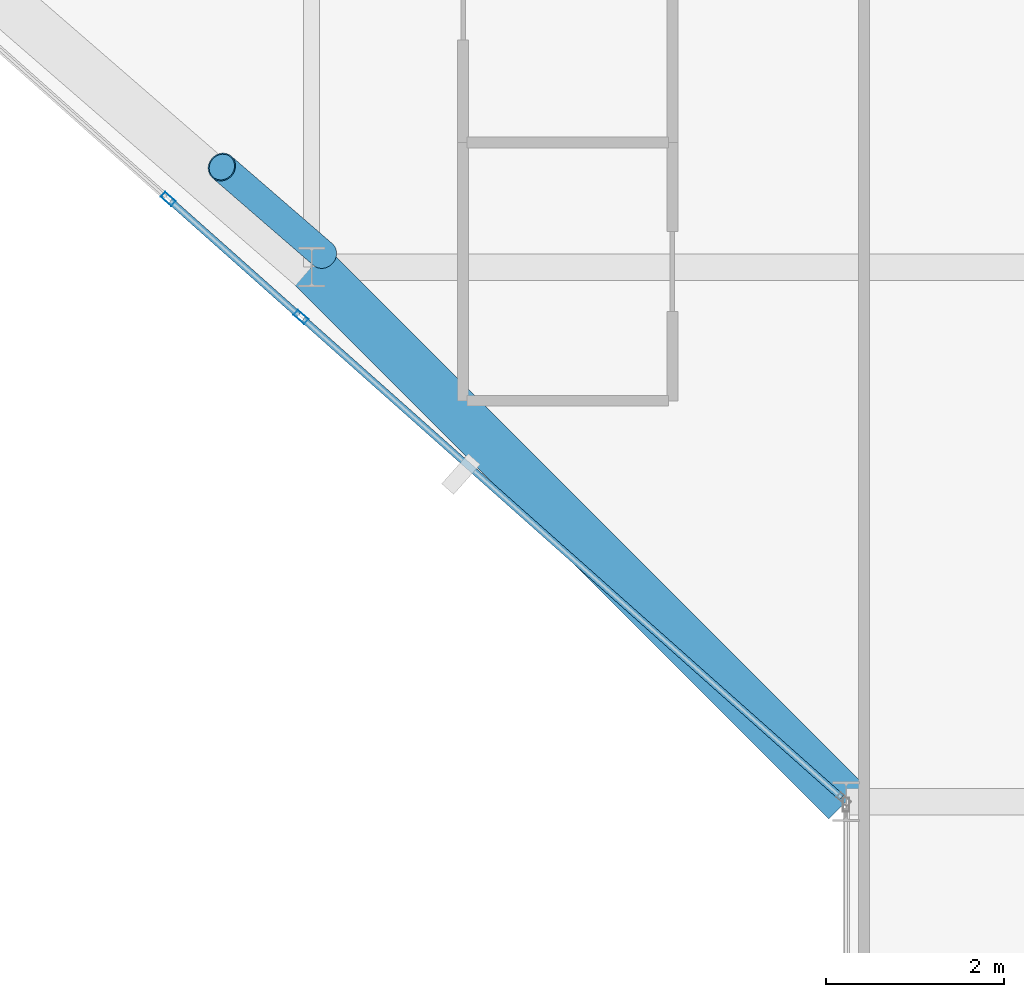
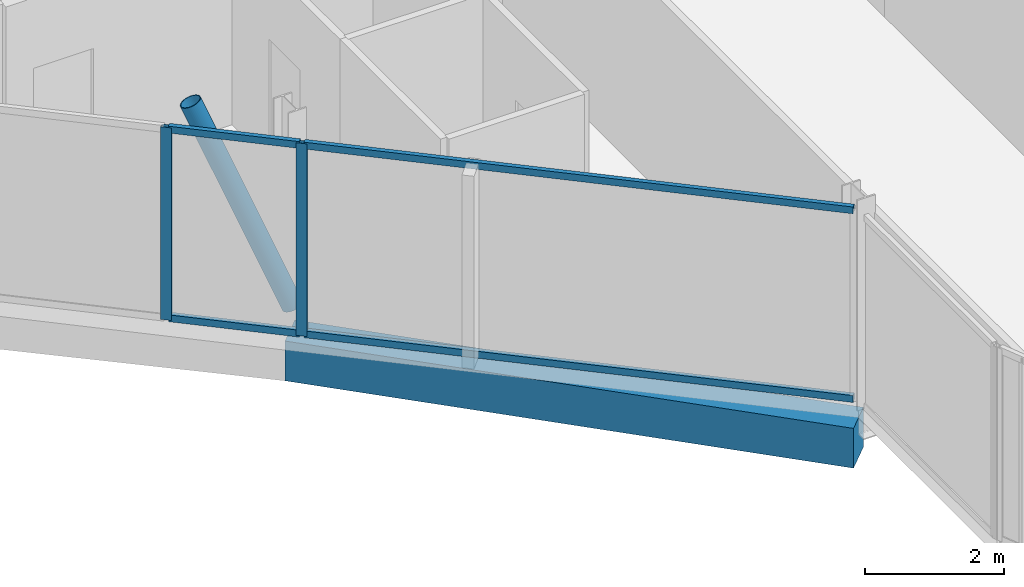
# One storey, part 4 of 29: 7 members, 1 beam, 2 elements without a shape of their own.
"""IFC4 building model written with IfcOpenShell, lengths in metres."""

import ifcopenshell
import ifcopenshell.guid

model = None  # the IFC model being written
_history = None  # IfcOwnerHistory: only IFC2X3 demands one
_inside = {}  # id of a spatial element -> (the spatial element, [elements in it])
_under = {}  # id of a project, library or spatial element -> (it, [spatial elements below it])
_declared = {}  # id of a project -> (the project, [libraries it declares])
_typed = {}  # id of a type object -> (the type object, [elements of that type])
_made_of = {}  # id of a material, layer set ... -> (it, [elements and type objects made of it])


def new_model(schema):
    """Start an empty IFC model of exactly this schema.

    Asked for "IFC4X3", IfcOpenShell would pick the latest addendum, in which some entities
    have other attributes; the version numbers below select the first issue.
    IFC2X3 requires an IfcOwnerHistory on every rooted entity: one is made here for all.
    """
    global model, _history
    if schema == "IFC4X3":
        model = ifcopenshell.file(schema_version=(4, 3, 0, 0))
    else:
        model = ifcopenshell.file(schema=schema)
    _inside.clear()
    _under.clear()
    _declared.clear()
    _typed.clear()
    _made_of.clear()
    _history = None
    if model.schema == "IFC2X3":
        org = make("IfcOrganization", Name="unknown")
        user = make(
            "IfcPersonAndOrganization",
            ThePerson=make("IfcPerson", FamilyName="unknown"),
            TheOrganization=org,
        )
        app = make(
            "IfcApplication",
            ApplicationDeveloper=org,
            Version="unknown",
            ApplicationFullName="unknown",
            ApplicationIdentifier="unknown",
        )
        _history = make(
            "IfcOwnerHistory",
            OwningUser=user,
            OwningApplication=app,
            ChangeAction="ADDED",
            CreationDate=0,
        )
    return model


def make(cls, **values):
    """One entity of the class cls with the attributes given. An attribute that is None is left unset."""
    return model.create_entity(
        cls, **{name: value for name, value in values.items() if value is not None}
    )


def rooted(cls, **values):
    """An entity with a GlobalId (a new one), such as an element, a storey or a relation."""
    return make(cls, GlobalId=ifcopenshell.guid.new(), OwnerHistory=_history, **values)


def si_unit(unit_type, name, prefix=None):
    """IfcSIUnit, for example si_unit("LENGTHUNIT", "METRE", prefix="MILLI")."""
    return make("IfcSIUnit", UnitType=unit_type, Prefix=prefix, Name=name)


def assignment(units):
    """IfcUnitAssignment: the units of a project."""
    return None if units is None else make("IfcUnitAssignment", Units=units)


def point(xyz):
    """IfcCartesianPoint."""
    return None if xyz is None else make("IfcCartesianPoint", Coordinates=xyz)


def direction(xyz):
    """IfcDirection."""
    return None if xyz is None else make("IfcDirection", DirectionRatios=xyz)


def frame(location, z_axis=None, x_axis=None):
    """IfcAxis2Placement3D, a coordinate frame: its origin and axes. An axis left out is left unset."""
    return make(
        "IfcAxis2Placement3D",
        Location=point(location),
        Axis=direction(z_axis),
        RefDirection=direction(x_axis),
    )


def frame_2d(location, x_axis=None):
    """IfcAxis2Placement2D, a coordinate frame in the plane: its origin and x axis."""
    return make(
        "IfcAxis2Placement2D", Location=point(location), RefDirection=direction(x_axis)
    )


def origin():
    """The frame at (0, 0, 0) with its axes left unset."""
    return frame((0.0, 0.0, 0.0))


def origin_2d():
    """The frame at (0, 0) in the plane with its x axis left unset."""
    return frame_2d((0.0, 0.0))


def place(relative_to, where):
    """IfcLocalPlacement: puts the frame where relative to a parent placement (None: the world)."""
    return make(
        "IfcLocalPlacement", PlacementRelTo=relative_to, RelativePlacement=where
    )


def context(
    kind, dimensions, precision=None, world=None, true_north=None, identifier=None
):
    """IfcGeometricRepresentationContext, for example the 3D "Model" context."""
    return make(
        "IfcGeometricRepresentationContext",
        ContextIdentifier=identifier,
        ContextType=kind,
        CoordinateSpaceDimension=dimensions,
        Precision=precision,
        WorldCoordinateSystem=world,
        TrueNorth=true_north,
    )


def subcontext(parent, identifier, kind, view, scale=None):
    """IfcGeometricRepresentationSubContext, for example "Body" below "Model"."""
    return make(
        "IfcGeometricRepresentationSubContext",
        ContextIdentifier=identifier,
        ContextType=kind,
        ParentContext=parent,
        TargetScale=scale,
        TargetView=view,
    )


def project(units=None, contexts=None):
    """IfcProject with its units and contexts."""
    return rooted(
        "IfcProject",
        Name="project",
        RepresentationContexts=contexts,
        UnitsInContext=assignment(units),
    )


def spatial(cls, under=None, at=None, **own):
    """A site, building, storey or space (cls), placed at a placement, below another one or the project."""
    s = rooted(cls, ObjectPlacement=at, **own)
    if under is not None:
        _under.setdefault(under.id(), (under, []))[1].append(s)
    return s


def profile(cls, at=None, kind="AREA", **sizes):
    """A parametric profile (cls). Its sizes go by their IFC names, for example OverallWidth=200.0."""
    return make(cls, ProfileType=kind, Position=at, **sizes)


def rectangle(**sizes):
    """IfcRectangleProfileDef."""
    return profile("IfcRectangleProfileDef", **sizes)


def hollow_rectangle(**sizes):
    """IfcRectangleHollowProfileDef."""
    return profile("IfcRectangleHollowProfileDef", **sizes)


def hollow_circle(**sizes):
    """IfcCircleHollowProfileDef."""
    return profile("IfcCircleHollowProfileDef", **sizes)


def extrude(swept, where, along, depth):
    """IfcExtrudedAreaSolid: the profile swept, set in the frame where, extruded along a direction by depth."""
    return make(
        "IfcExtrudedAreaSolid",
        SweptArea=swept,
        Position=where,
        ExtrudedDirection=direction(along),
        Depth=depth,
    )


def shape(context_of_items, identifier, shape_type, items):
    """IfcShapeRepresentation: the items that make up one representation, for example the "Body"."""
    return make(
        "IfcShapeRepresentation",
        ContextOfItems=context_of_items,
        RepresentationIdentifier=identifier,
        RepresentationType=shape_type,
        Items=items,
    )


def material(Name=None, Category=None):
    """IfcMaterial."""
    return make("IfcMaterial", Name=Name, Category=Category)


def layer(
    of_material, thickness, ventilated=None, Name=None, Category=None, Priority=None
):
    """IfcMaterialLayer: one layer of a wall or slab, of a material (None: an air gap)."""
    return make(
        "IfcMaterialLayer",
        Material=of_material,
        LayerThickness=thickness,
        IsVentilated=ventilated,
        Name=Name,
        Category=Category,
        Priority=Priority,
    )


def layer_set(layers, Name=None):
    """IfcMaterialLayerSet."""
    return make("IfcMaterialLayerSet", MaterialLayers=layers, LayerSetName=Name)


def material_profile(
    of_material, cross_section, Name=None, Category=None, Priority=None
):
    """IfcMaterialProfile: a cross section and its material."""
    return make(
        "IfcMaterialProfile",
        Name=Name,
        Material=of_material,
        Profile=cross_section,
        Priority=Priority,
        Category=Category,
    )


def profile_set(profiles, Name=None, composite=None):
    """IfcMaterialProfileSet."""
    return make(
        "IfcMaterialProfileSet",
        Name=Name,
        MaterialProfiles=profiles,
        CompositeProfile=composite,
    )


def made_of(thing, what):
    """Note that an element or type object is made of a material, layer set ...; save() writes the relation."""
    if what is not None:
        _made_of.setdefault(what.id(), (what, []))[1].append(thing)
    return thing


def type_object(cls, material=None, **own):
    """A type object (cls), such as IfcWallType, which elements share."""
    return made_of(rooted(cls, **own), material)


def element(
    cls,
    number,
    at=None,
    inside=None,
    cuts=None,
    type_object=None,
    material=None,
    context=None,
    identifier="Body",
    shape_type=None,
    held_by="IfcProductDefinitionShape",
    body=None,
    shapes=None,
    **own,
):
    """One element of the class cls, such as IfcWall. Its Tag is "e" and its number.

    at: its placement. inside: the storey or other place that contains it. cuts: it is an
    opening in that element (IfcRelVoidsElement). A single representation is given by context,
    identifier, shape_type and body (its items); several are given by shapes. held_by: the class
    of the entity that holds the representations. save() writes the other relations.
    """
    e = rooted(cls, Tag="e%d" % number, ObjectPlacement=at, **own)
    if body is not None:
        shapes = [shape(context, identifier, shape_type, body)]
    if shapes is not None:
        e.Representation = make(held_by, Representations=shapes)
    if inside is not None:
        _inside.setdefault(inside.id(), (inside, []))[1].append(e)
    if cuts is not None:
        rooted(
            "IfcRelVoidsElement", RelatingBuildingElement=cuts, RelatedOpeningElement=e
        )
    if type_object is not None:
        _typed.setdefault(type_object.id(), (type_object, []))[1].append(e)
    return made_of(e, material)


def aggregate(whole, parts):
    """IfcRelAggregates: a whole, such as a stair, and the parts it consists of."""
    return rooted("IfcRelAggregates", RelatingObject=whole, RelatedObjects=parts)


def save(model, path):
    """Write the relations noted so far, then the file.

    IfcRelAggregates (storeys below a building ...), IfcRelContainedInSpatialStructure (elements
    in a storey), IfcRelDefinesByType, IfcRelAssociatesMaterial and IfcRelDeclares: one each for
    every whole, place, type object, material and project.
    """
    for whole, parts in _under.values():
        aggregate(whole, parts)
    for where, things in _inside.values():
        rooted(
            "IfcRelContainedInSpatialStructure",
            RelatedElements=things,
            RelatingStructure=where,
        )
    for kind, things in _typed.values():
        rooted("IfcRelDefinesByType", RelatedObjects=things, RelatingType=kind)
    for what, things in _made_of.values():
        rooted("IfcRelAssociatesMaterial", RelatedObjects=things, RelatingMaterial=what)
    for by, libraries in _declared.values():
        rooted("IfcRelDeclares", RelatingContext=by, RelatedDefinitions=libraries)
    model.write(path)


model = new_model("IFC4")

# Units and contexts
model_context = context("Model", 3, precision=1e-05, world=origin(), true_north=direction((0.0, 1.0)))
body_context = subcontext(model_context, "Body", "Model", "MODEL_VIEW")
ifc_project = project(units=[si_unit("LENGTHUNIT", "METRE"), si_unit("AREAUNIT", "SQUARE_METRE"), si_unit("VOLUMEUNIT", "CUBIC_METRE"), si_unit("PLANEANGLEUNIT", "RADIAN"), si_unit("MASSUNIT", "GRAM", prefix="KILO")], contexts=[model_context])

# Site, building, storey
site_placement = place(None, origin())
site = spatial("IfcSite", under=ifc_project, at=site_placement, CompositionType="ELEMENT")
building_placement = place(site_placement, origin())
building = spatial("IfcBuilding", under=site, at=building_placement, Name="Keshet Zoharim Tower", CompositionType="ELEMENT")
storey_placement = place(building_placement, frame((0.0, 0.0, 188.39990234375)))
storey = spatial("IfcBuildingStorey", under=building, at=storey_placement, Name="L46", CompositionType="ELEMENT", Elevation=188.39990234375)

# Beam
ifc_material_1 = material(Name="Concrete C50/60", Category="concrete")
ifc_material_profile_1 = material_profile(ifc_material_1, rectangle(XDim=0.550048828125, YDim=0.699951171875, at=origin_2d()), Name="RC700x550")
ifc_profile_set_1 = profile_set([ifc_material_profile_1], Name="Concrete C50/60")
beam_type = type_object("IfcBeamType", Name="BM-SPN-700", PredefinedType="SPANDREL", material=ifc_profile_set_1)
beam_placement = place(storey_placement, frame((21.0, 6.699951171875, -0.659912109375), z_axis=(-0.707106781187, 0.707106781187, 0.0), x_axis=(-0.707106781187, -0.707106781187, 0.0)))
element("IfcBeam", 1, at=beam_placement, inside=storey, type_object=beam_type, Name="L46 Perimeter Spandrel Beam 01", PredefinedType="SPANDREL", context=body_context, shape_type="SweptSolid", body=[
    extrude(rectangle(XDim=0.550048828125, YDim=0.699951171875, at=origin_2d()), origin(), (0.0, 0.0, 1.0), 8.4853515625),
])

# Curtain wall, member
ifc_material_2 = material(Name="Aluminium 6063-T6", Category="aluminium")
ifc_layer = layer(ifc_material_2, 0.139892578125)
ifc_layer_set = layer_set([ifc_layer], Name="Aluminium 6063-T6")
curtain_wall_type = type_object("IfcCurtainWallType", Name="CW-SYS-05", PredefinedType="NOTDEFINED", material=ifc_layer_set)
curtain_wall_1_placement = place(storey_placement, origin())
curtain_wall_1 = element("IfcCurtainWall", 2, at=curtain_wall_1_placement, inside=storey, type_object=curtain_wall_type, Name="L46 Unitised Curtain Wall 10", PredefinedType="NOTDEFINED")
ifc_material_profile_2 = material_profile(ifc_material_2, hollow_rectangle(XDim=0.074951171875, YDim=0.159912109375, WallThickness=0.00390625, at=origin_2d()), Name="MUL-75x160")
ifc_profile_set_2 = profile_set([ifc_material_profile_2], Name="Aluminium 6063-T6")
member_type_1 = type_object("IfcMemberType", Name="CWM-M15", PredefinedType="MULLION", material=ifc_profile_set_2)
member_1_placement = place(storey_placement, frame((14.88037109375, 12.1396484375, 0.0), z_axis=(0.0, 0.0, 1.0), x_axis=(-0.664367613066, -0.74740596379, 0.0)))
member_1 = element("IfcMember", 3, at=member_1_placement, type_object=member_type_1, Name="CW-05 mullion 2", PredefinedType="MULLION", context=body_context, shape_type="SweptSolid", body=[
    extrude(hollow_rectangle(XDim=0.074951171875, YDim=0.159912109375, WallThickness=0.00390625, at=origin_2d()), origin(), (0.0, 0.0, 1.0), 3.39013671875),
])

curtain_wall_2_placement = place(storey_placement, origin())
curtain_wall_2 = element("IfcCurtainWall", 4, at=curtain_wall_2_placement, inside=storey, type_object=curtain_wall_type, Name="L46 Unitised Curtain Wall 10 Part 2", PredefinedType="NOTDEFINED")
member_2_placement = place(storey_placement, frame((13.388427734375, 13.4658203125, 0.0), z_axis=(0.0, 0.0, 1.0), x_axis=(-0.664329634314, -0.747439721297, 0.0)))
member_2 = element("IfcMember", 5, at=member_2_placement, type_object=member_type_1, Name="CW-05 mullion 2", PredefinedType="MULLION", context=body_context, shape_type="SweptSolid", body=[
    extrude(hollow_rectangle(XDim=0.074951171875, YDim=0.159912109375, WallThickness=0.00390625, at=origin_2d()), origin(), (0.0, 0.0, 1.0), 3.39013671875),
])

# Member
ifc_material_profile_3 = material_profile(ifc_material_2, hollow_rectangle(XDim=0.074951171875, YDim=0.1201171875, WallThickness=0.00390625, at=origin_2d()), Name="TRN-75x120")
ifc_profile_set_3 = profile_set([ifc_material_profile_3], Name="Aluminium 6063-T6")
member_type_2 = type_object("IfcMemberType", Name="CWT-T12", PredefinedType="USERDEFINED", material=ifc_profile_set_3)
member_3_placement = place(storey_placement, frame((20.94775390625, 6.74658203125, 0.03515625), z_axis=(-0.747404319135, 0.664369463279, 0.0), x_axis=(-0.664369463279, -0.747404319135, 0.0)))
member_3 = element("IfcMember", 6, at=member_3_placement, type_object=member_type_2, Name="CW-05 transom 1.1", ObjectType="TRANSOM", PredefinedType="USERDEFINED", context=body_context, shape_type="SweptSolid", body=[
    extrude(hollow_rectangle(XDim=0.074951171875, YDim=0.1201171875, WallThickness=0.00390625, at=origin_2d()), origin(), (0.0, 0.0, 1.0), 8.082763671875),
])

member_4_placement = place(storey_placement, frame((20.94775390625, 6.74658203125, 3.35498046875), z_axis=(-0.747404319135, 0.664369463279, 0.0), x_axis=(-0.664369463279, -0.747404319135, 0.0)))
member_4 = element("IfcMember", 7, at=member_4_placement, type_object=member_type_2, Name="CW-05 transom 1.2", ObjectType="TRANSOM", PredefinedType="USERDEFINED", context=body_context, shape_type="SweptSolid", body=[
    extrude(hollow_rectangle(XDim=0.074951171875, YDim=0.1201171875, WallThickness=0.00390625, at=origin_2d()), origin(), (0.0, 0.0, 1.0), 8.082763671875),
])

aggregate(curtain_wall_1, [member_1, member_3, member_4])

member_5_placement = place(storey_placement, frame((14.854248046875, 12.162841796875, 0.03515625), z_axis=(-0.747458269264, 0.664308765341, 0.0), x_axis=(-0.664308765341, -0.747458269264, 0.0)))
member_5 = element("IfcMember", 8, at=member_5_placement, type_object=member_type_2, Name="CW-05 transom 1.1", ObjectType="TRANSOM", PredefinedType="USERDEFINED", context=body_context, shape_type="SweptSolid", body=[
    extrude(hollow_rectangle(XDim=0.074951171875, YDim=0.1201171875, WallThickness=0.00390625, at=origin_2d()), origin(), (0.0, 0.0, 1.0), 1.926025390625),
])

member_6_placement = place(storey_placement, frame((14.854248046875, 12.162841796875, 3.35498046875), z_axis=(-0.747458269264, 0.664308765341, 0.0), x_axis=(-0.664308765341, -0.747458269264, 0.0)))
member_6 = element("IfcMember", 9, at=member_6_placement, type_object=member_type_2, Name="CW-05 transom 1.2", ObjectType="TRANSOM", PredefinedType="USERDEFINED", context=body_context, shape_type="SweptSolid", body=[
    extrude(hollow_rectangle(XDim=0.074951171875, YDim=0.1201171875, WallThickness=0.00390625, at=origin_2d()), origin(), (0.0, 0.0, 1.0), 1.926025390625),
])

aggregate(curtain_wall_2, [member_2, member_5, member_6])

ifc_material_3 = material(Name="Steel S355", Category="steel")
ifc_material_profile_4 = material_profile(ifc_material_3, hollow_circle(Radius=0.161865234375, WallThickness=0.012451171875, at=origin_2d()), Name="CHS323x12.5")
ifc_profile_set_4 = profile_set([ifc_material_profile_4], Name="Steel S355")
member_type_3 = type_object("IfcMemberType", Name="MB-BR-C323", PredefinedType="BRACE", material=ifc_profile_set_4)
member_7_placement = place(storey_placement, frame((15.1259765625, 12.842041015625, 0.0), z_axis=(-0.305901085163, 0.264872801835, 0.914476311855), x_axis=(-0.654589683411, -0.755984355904, 0.0)))
element("IfcMember", 10, at=member_7_placement, inside=storey, type_object=member_type_3, Name="L46 Perimeter Tube Brace 01", PredefinedType="BRACE", context=body_context, shape_type="SweptSolid", body=[
    extrude(hollow_circle(Radius=0.161865234375, WallThickness=0.012451171875, at=origin_2d()), origin(), (0.0, 0.0, 1.0), 3.707275390625),
])

save(model, "model.ifc")
